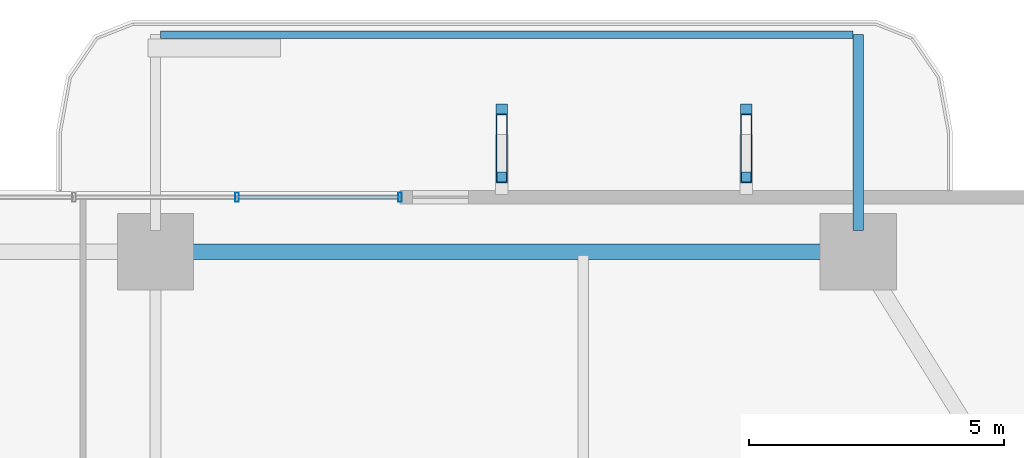
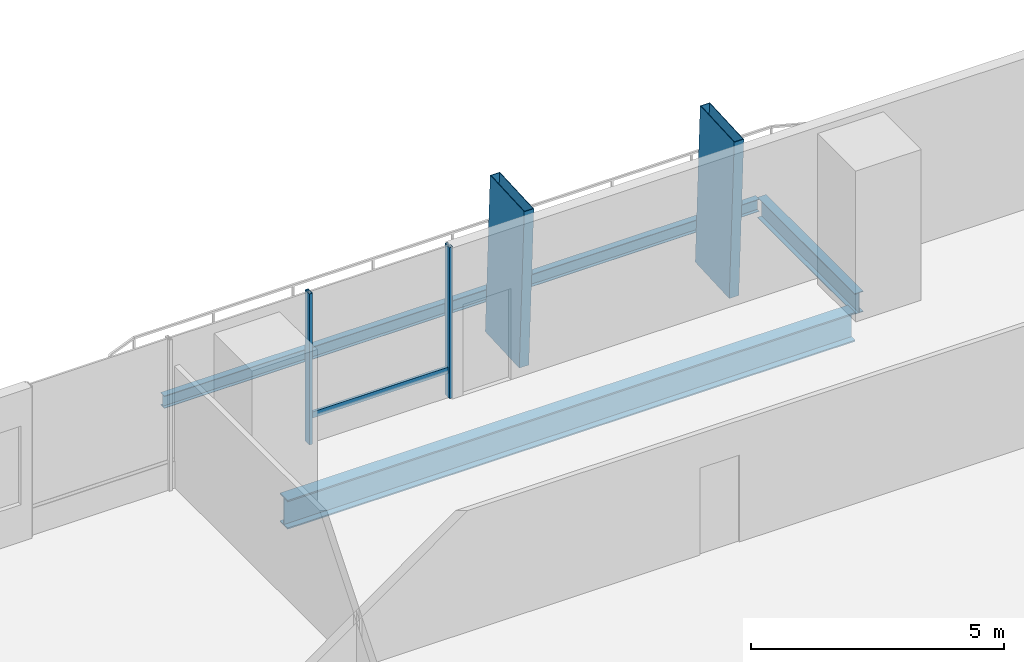
# One storey, part 15 of 23: 5 members, 3 beams, 1 element without a shape of its own.
"""IFC4 building model written with IfcOpenShell, lengths in metres."""

from ifc_helpers import new_model, si_unit, direction, frame, origin, origin_2d, place, context, subcontext, project, spatial, hollow_rectangle, i_section, extrude, material, layer, layer_set, material_profile, profile_set, type_object, element, aggregate, save


model = new_model("IFC4")

# Units and contexts
model_context = context("Model", 3, precision=1e-05, world=origin(), true_north=direction((0.0, 1.0)))
body_context = subcontext(model_context, "Body", "Model", "MODEL_VIEW")
ifc_project = project(units=[si_unit("LENGTHUNIT", "METRE"), si_unit("AREAUNIT", "SQUARE_METRE"), si_unit("VOLUMEUNIT", "CUBIC_METRE"), si_unit("PLANEANGLEUNIT", "RADIAN"), si_unit("MASSUNIT", "GRAM", prefix="KILO")], contexts=[model_context])

# Site, building, storey
site_placement = place(None, origin())
site = spatial("IfcSite", under=ifc_project, at=site_placement, CompositionType="ELEMENT")
building_placement = place(site_placement, origin())
building = spatial("IfcBuilding", under=site, at=building_placement, Name="Belovzor Exchange Tower", CompositionType="ELEMENT")
storey_placement = place(building_placement, frame((0.0, 0.0, 76.800048828125)))
storey = spatial("IfcBuildingStorey", under=building, at=storey_placement, Name="L18", CompositionType="ELEMENT", Elevation=76.800048828125)

# Members
ifc_material_1 = material(Name="Extruded Architectural Terracotta on Steel S355 Carrier", Category="masonry")
ifc_material_profile_1 = material_profile(ifc_material_1, hollow_rectangle(XDim=0.219970703125, YDim=1.35009765625, WallThickness=0.013916015625, at=origin_2d()))
ifc_profile_set_1 = profile_set([ifc_material_profile_1], Name="Extruded Architectural Terracotta on Steel S355 Carrier")
member_type_1 = type_object("IfcMemberType", Name="Base Arc Sweeping Terracotta Pylon Fin 1450", PredefinedType="USERDEFINED", material=ifc_profile_set_1)
for number, where, z_axis, x_axis, name in (
    (1, (35.60009765625, 57.72607421875, -0.25), (0.0, -0.050704695274, 0.998713689641), (1.0, 0.0, 0.0), "FIN-TC145 Terracotta Facade Fin L18 N3"),
    (2, (40.39990234375, 57.72607421875, -0.25), (0.0, -0.050704695274, 0.998713689641), (1.0, 0.0, 0.0), "FIN-TC145 Terracotta Facade Fin L18 N4"),
):
    element("IfcMember", number, at=place(storey_placement, frame(where, z_axis=z_axis, x_axis=x_axis)), inside=storey, type_object=member_type_1, Name=name, ObjectType="FIN", PredefinedType="USERDEFINED", context=body_context, shape_type="SweptSolid", body=[
        extrude(hollow_rectangle(XDim=0.219970703125, YDim=1.35009765625, WallThickness=0.013916015625, at=origin_2d()), origin(), (0.0, 0.0, 1.0), 3.905029296875),
    ])

# Beams
ifc_material_2 = material(Name="Steel S355", Category="steel")
ifc_material_profile_2 = material_profile(ifc_material_2, i_section(OverallWidth=0.199951171875, OverallDepth=0.5, WebThickness=0.01025390625, FlangeThickness=0.01611328125, at=origin_2d()))
ifc_profile_set_2 = profile_set([ifc_material_profile_2], Name="Steel S355")
beam_type_1 = type_object("IfcBeamType", Name="Planted Balcony Cantilever Beam IPE 500", PredefinedType="BEAM", material=ifc_profile_set_2)
beam_1_placement = place(storey_placement, frame((42.60009765625, 55.9130859375, -0.5), z_axis=(0.0, 1.0, 0.0), x_axis=(-1.0, 0.0, 0.0)))
element("IfcBeam", 3, at=beam_1_placement, inside=storey, type_object=beam_type_1, Name="BC-500 Planted Balcony Cantilever Beam IPE 500", PredefinedType="BEAM", context=body_context, shape_type="SweptSolid", body=[
    extrude(i_section(OverallWidth=0.199951171875, OverallDepth=0.5, WebThickness=0.01025390625, FlangeThickness=0.01611328125, at=origin_2d()), origin(), (0.0, 0.0, 1.0), 3.849853515625),
])
ifc_material_3 = material(Name="Steel S355", Category="steel")
ifc_material_profile_3 = material_profile(ifc_material_3, i_section(OverallWidth=0.14990234375, OverallDepth=0.300048828125, WebThickness=0.007080078125, FlangeThickness=0.0107421875, at=origin_2d()))
ifc_profile_set_3 = profile_set([ifc_material_profile_3], Name="Steel S355")
beam_type_2 = type_object("IfcBeamType", Name="Planted Balcony Fascia Edge Beam IPE 300", PredefinedType="BEAM", material=ifc_profile_set_3)
beam_2_placement = place(storey_placement, frame((42.5, 59.762939453125, -0.400146484375), z_axis=(-1.0, 0.0, 0.0), x_axis=(0.0, -1.0, 0.0)))
element("IfcBeam", 4, at=beam_2_placement, inside=storey, type_object=beam_type_2, Name="BC-300 Planted Balcony Fascia Edge Beam IPE 300", PredefinedType="BEAM", context=body_context, shape_type="SweptSolid", body=[
    extrude(i_section(OverallWidth=0.14990234375, OverallDepth=0.300048828125, WebThickness=0.007080078125, FlangeThickness=0.0107421875, at=origin_2d()), origin(), (0.0, 0.0, 1.0), 13.60009765625),
])

# Curtain wall, members
ifc_material_4 = material(Name="Anodised Aluminium Framing", Category="aluminium")
ifc_layer = layer(ifc_material_4, 0.179931640625)
ifc_layer_set = layer_set([ifc_layer], Name="Anodised Aluminium Framing")
curtain_wall_type = type_object("IfcCurtainWallType", Name="Recessed Loggia Low-Iron Triple-Glazed Curtain Wall", PredefinedType="NOTDEFINED", material=ifc_layer_set)
curtain_wall_placement = place(storey_placement, origin())
curtain_wall = element("IfcCurtainWall", 5, at=curtain_wall_placement, inside=storey, type_object=curtain_wall_type, Name="CW3 Recessed Loggia Low-Iron Triple-Glazed Curtain Wall L18", PredefinedType="NOTDEFINED")
ifc_material_5 = material(Name="Steel S355", Category="steel")
ifc_material_profile_4 = material_profile(ifc_material_5, hollow_rectangle(XDim=0.074951171875, YDim=0.179931640625, WallThickness=0.0048828125, at=origin_2d()))
ifc_profile_set_4 = profile_set([ifc_material_profile_4], Name="Steel S355")
member_type_2 = type_object("IfcMemberType", Name="Thermally Broken Curtain Wall Mullion 180x75", PredefinedType="MULLION", material=ifc_profile_set_4)
member_1_placement = place(storey_placement, frame((30.39990234375, 56.570068359375, 0.0), z_axis=(0.0, 0.0, 1.0), x_axis=(1.0, 0.0, 0.0)))
member_1 = element("IfcMember", 6, at=member_1_placement, type_object=member_type_2, Name="CW-M180 Curtain Wall Mullion 3", PredefinedType="MULLION", context=body_context, shape_type="SweptSolid", body=[
    extrude(hollow_rectangle(XDim=0.074951171875, YDim=0.179931640625, WallThickness=0.0048828125, at=origin_2d()), origin(), (0.0, 0.0, 1.0), 3.64990234375),
])
member_2_placement = place(storey_placement, frame((33.60009765625, 56.570068359375, 0.0), z_axis=(0.0, 0.0, 1.0), x_axis=(1.0, 0.0, 0.0)))
member_2 = element("IfcMember", 7, at=member_2_placement, type_object=member_type_2, Name="CW-M180 Curtain Wall Mullion 4", PredefinedType="MULLION", context=body_context, shape_type="SweptSolid", body=[
    extrude(hollow_rectangle(XDim=0.074951171875, YDim=0.179931640625, WallThickness=0.0048828125, at=origin_2d()), origin(), (0.0, 0.0, 1.0), 3.64990234375),
])
ifc_material_6 = material(Name="Steel S355", Category="steel")
ifc_material_profile_5 = material_profile(ifc_material_6, hollow_rectangle(XDim=0.06005859375, YDim=0.14990234375, WallThickness=0.00390625, at=origin_2d()))
ifc_profile_set_5 = profile_set([ifc_material_profile_5], Name="Steel S355")
member_type_3 = type_object("IfcMemberType", Name="Thermally Broken Curtain Wall Transom 150x60", PredefinedType="USERDEFINED", material=ifc_profile_set_5)
member_3_placement = place(storey_placement, frame((30.407958984375, 56.570068359375, 0.64990234375), z_axis=(1.0, 0.0, 0.0), x_axis=(0.0, 1.0, 0.0)))
member_3 = element("IfcMember", 8, at=member_3_placement, type_object=member_type_3, Name="CW-T150 Curtain Wall Transom 3", ObjectType="TRANSOM", PredefinedType="USERDEFINED", context=body_context, shape_type="SweptSolid", body=[
    extrude(hollow_rectangle(XDim=0.06005859375, YDim=0.14990234375, WallThickness=0.00390625, at=origin_2d()), origin(), (0.0, 0.0, 1.0), 3.18408203125),
])
aggregate(curtain_wall, [member_1, member_2, member_3])

# Beam
ifc_material_7 = material(Name="Steel S355", Category="steel")
ifc_material_profile_6 = material_profile(ifc_material_7, i_section(OverallWidth=0.300048828125, OverallDepth=0.699951171875, WebThickness=0.01708984375, FlangeThickness=0.031982421875, at=origin_2d()))
ifc_profile_set_6 = profile_set([ifc_material_profile_6], Name="Steel S355")
beam_type_3 = type_object("IfcBeamType", Name="Zone 1 Primary Perimeter Girder HEB 700", PredefinedType="BEAM", material=ifc_profile_set_6)
beam_3_placement = place(storey_placement, frame((42.18798828125, 55.5, -0.60009765625), z_axis=(-1.0, 0.0, 0.0), x_axis=(0.0, -1.0, 0.0)))
element("IfcBeam", 9, at=beam_3_placement, inside=storey, type_object=beam_type_3, Name="FG-Z1 Zone 1 Primary Perimeter Girder HEB 700", PredefinedType="BEAM", context=body_context, shape_type="SweptSolid", body=[
    extrude(i_section(OverallWidth=0.300048828125, OverallDepth=0.699951171875, WebThickness=0.01708984375, FlangeThickness=0.031982421875, at=origin_2d()), origin(), (0.0, 0.0, 1.0), 12.97509765625),
])

save(model, "model.ifc")
